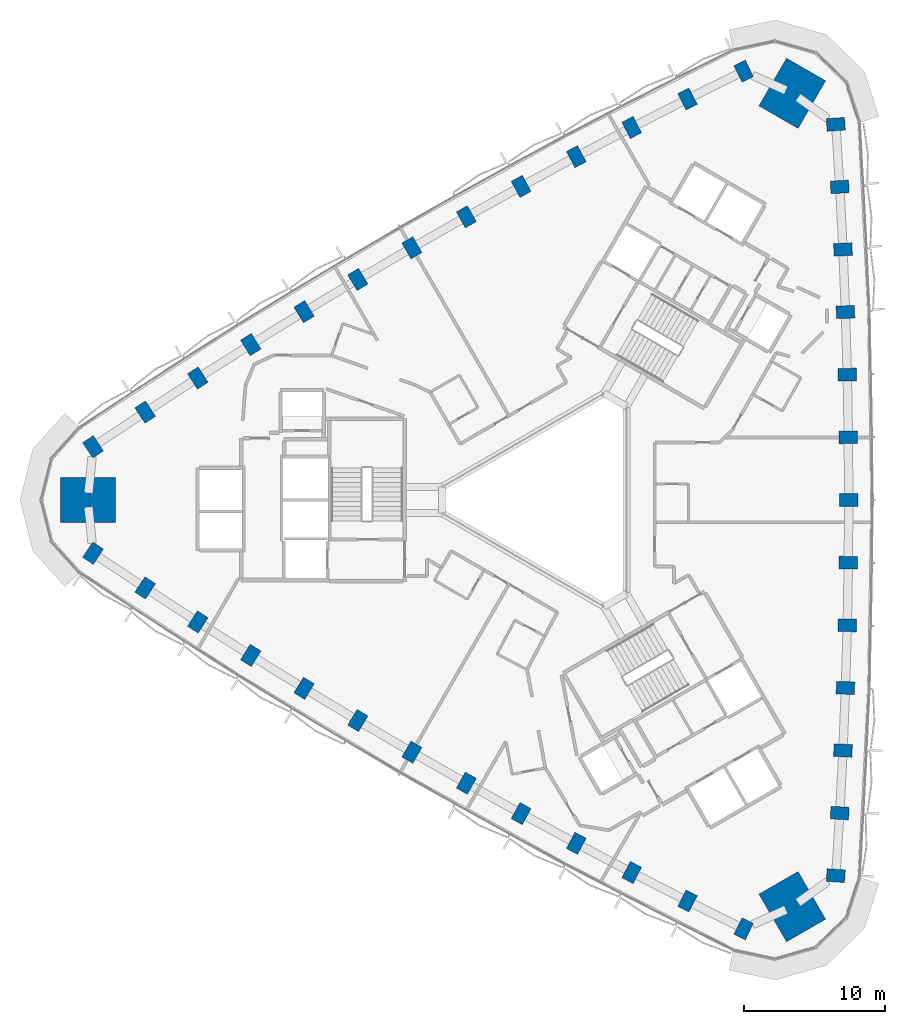
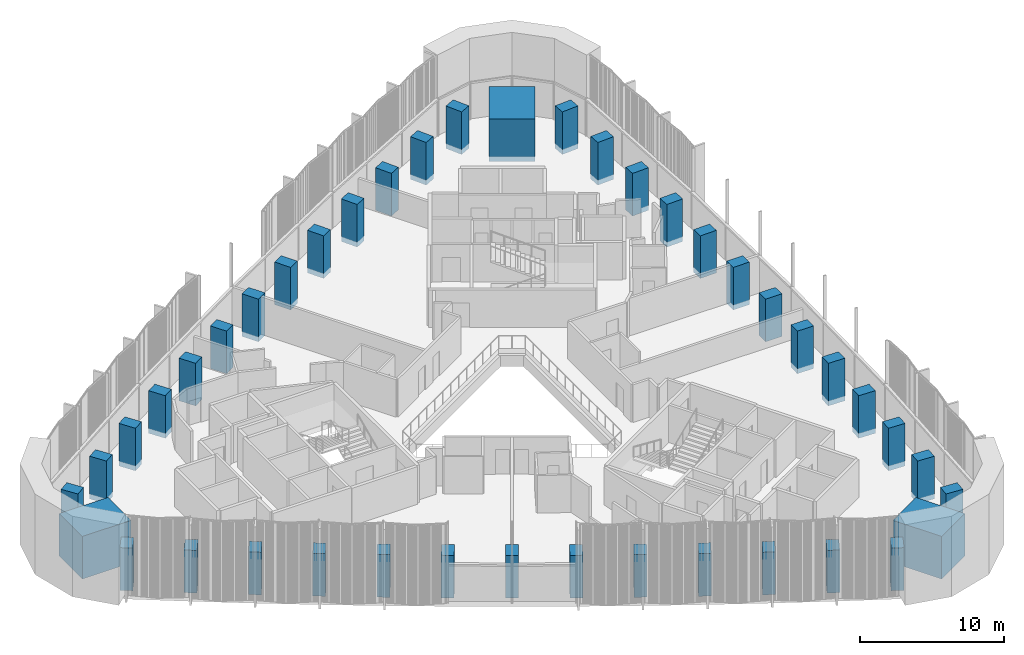
# One storey, part 1 of 15: 42 columns.
"""IFC4 building model written with IfcOpenShell, lengths in metres."""

from ifc_helpers import new_model, si_unit, direction, frame, origin, origin_2d, place, context, subcontext, project, spatial, rectangle, extrude, material, material_profile, profile_set, type_object, element, save


model = new_model("IFC4")

# Units and contexts
model_context = context("Model", 3, precision=1e-05, world=origin(), true_north=direction((0.0, 1.0)))
body_context = subcontext(model_context, "Body", "Model", "MODEL_VIEW")
ifc_project = project(units=[si_unit("LENGTHUNIT", "METRE"), si_unit("AREAUNIT", "SQUARE_METRE"), si_unit("VOLUMEUNIT", "CUBIC_METRE"), si_unit("PLANEANGLEUNIT", "RADIAN"), si_unit("MASSUNIT", "GRAM", prefix="KILO")], contexts=[model_context])

# Site, building, storey
site_placement = place(None, origin())
site = spatial("IfcSite", under=ifc_project, at=site_placement, CompositionType="ELEMENT")
building_placement = place(site_placement, origin())
building = spatial("IfcBuilding", under=site, at=building_placement, Name="Tamra Quay Hotel Tower", CompositionType="ELEMENT")
storey_placement = place(building_placement, frame((0.0, 0.0, 111.800048828125)))
storey = spatial("IfcBuildingStorey", under=building, at=storey_placement, Name="L27", CompositionType="ELEMENT", Elevation=111.800048828125)

# Columns
ifc_material = material(Name="Concrete M70", Category="concrete")
ifc_material_profile_1 = material_profile(ifc_material, rectangle(XDim=1.300048828125, YDim=0.89990234375, at=origin_2d()), Name="COLUMN RC 900x1300 Z2")
ifc_profile_set_1 = profile_set([ifc_material_profile_1], Name="Concrete M70")
column_type_1 = type_object("IfcColumnType", Name="COLUMN RC 900x1300 Z2", PredefinedType="COLUMN", material=ifc_profile_set_1)
for number, where, z_axis, x_axis, name in (
    (1, (19.746337890625, -26.648681640625, -0.425048828125), (0.0, 0.0, 1.0), (-0.997682497858, 0.068041409955, 0.0), "COL-C2E01-L27"),
    (2, (20.02490234375, -22.212158203125, -0.425048828125), (0.0, 0.0, 1.0), (-0.998368034899, 0.057107502941, 0.0), "COL-C2E02-L27"),
    (3, (20.2529296875, -17.773193359375, -0.425048828125), (0.0, 0.0, 1.0), (-0.99895467426, 0.04571169187, 0.0), "COL-C2E03-L27"),
    (4, (20.430419921875, -13.331787109375, -0.425048828125), (0.0, 0.0, 1.0), (-0.999411600314, 0.034299462929, 0.0), "COL-C2E04-L27"),
    (5, (20.557373046875, -8.888916015625, -0.425048828125), (0.0, 0.0, 1.0), (-0.999738355025, 0.022874035338, 0.0), "COL-C2E05-L27"),
    (6, (20.633544921875, -4.44482421875, -0.425048828125), (0.0, 0.0, 1.0), (-0.999934576635, 0.01143863846, 0.0), "COL-C2E06-L27"),
    (7, (20.658935546875, 0.0, -0.425048828125), (0.0, 0.0, 1.0), (1.0, 0.0, 0.0), "COL-C2E07-L27"),
    (8, (20.633544921875, 4.44482421875, -0.425048828125), (0.0, 0.0, 1.0), (0.999934576635, 0.01143863846, 0.0), "COL-C2E08-L27"),
    (9, (20.557373046875, 8.888916015625, -0.425048828125), (0.0, 0.0, 1.0), (0.999738355025, 0.022874035338, 0.0), "COL-C2E09-L27"),
    (10, (20.430419921875, 13.331787109375, -0.425048828125), (0.0, 0.0, 1.0), (0.999411600314, 0.034299462929, 0.0), "COL-C2E10-L27"),
    (11, (20.2529296875, 17.773193359375, -0.425048828125), (0.0, 0.0, 1.0), (0.99895467426, 0.04571169187, 0.0), "COL-C2E11-L27"),
    (12, (20.02490234375, 22.212158203125, -0.425048828125), (0.0, 0.0, 1.0), (0.998368034899, 0.057107502941, 0.0), "COL-C2E12-L27"),
    (13, (19.746337890625, 26.648681640625, -0.425048828125), (0.0, 0.0, 1.0), (0.997682497858, 0.068041409955, 0.0), "COL-C2E13-L27"),
    (14, (13.205078125, 30.425048828125, -0.425048828125), (0.0, 0.0, 1.0), (-0.439915659398, 0.898039093033, 0.0), "COL-C2NW01-L27"),
    (15, (9.223876953125, 28.4482421875, -0.425048828125), (0.0, 0.0, 1.0), (-0.449727469156, 0.893165832019, 0.0), "COL-C2NW02-L27"),
    (16, (5.265625, 26.42626953125, -0.425048828125), (0.0, 0.0, 1.0), (-0.459889850721, 0.887975971074, 0.0), "COL-C2NW03-L27"),
    (17, (1.33056640625, 24.359375, -0.425048828125), (0.0, 0.0, 1.0), (-0.470001593924, 0.882665566174, 0.0), "COL-C2NW04-L27"),
    (18, (-2.580810546875, 22.247802734375, -0.425048828125), (0.0, 0.0, 1.0), (-0.480059681822, 0.877235830258, 0.0), "COL-C2NW05-L27"),
    (19, (-6.467529296875, 20.091552734375, -0.425048828125), (0.0, 0.0, 1.0), (-0.490061136827, 0.871688064718, 0.0), "COL-C2NW06-L27"),
    (20, (-10.32958984375, 17.89111328125, -0.425048828125), (0.0, 0.0, 1.0), (-0.5, 0.866025403784, 0.0), "COL-C2NW07-L27"),
    (21, (-14.166015625, 15.646728515625, -0.425048828125), (0.0, 0.0, 1.0), (-0.509873439808, 0.860249426259, 0.0), "COL-C2NW08-L27"),
    (22, (-17.976806640625, 13.35888671875, -0.425048828125), (0.0, 0.0, 1.0), (-0.519678673202, 0.85436179492, 0.0), "COL-C2NW09-L27"),
    (23, (-21.760986328125, 11.02734375, -0.425048828125), (0.0, 0.0, 1.0), (-0.52941000639, 0.848366103245, 0.0), "COL-C2NW10-L27"),
    (24, (-25.5185546875, 8.653076171875, -0.425048828125), (0.0, 0.0, 1.0), (-0.539064823539, 0.842264279204, 0.0), "COL-C2NW11-L27"),
    (25, (-29.248779296875, 6.23583984375, -0.425048828125), (0.0, 0.0, 1.0), (-0.548640565743, 0.836058329078, 0.0), "COL-C2NW12-L27"),
    (26, (-32.951416015625, 3.776611328125, -0.425048828125), (0.0, 0.0, 1.0), (-0.557766838459, 0.829997683078, 0.0), "COL-C2NW13-L27"),
    (27, (-32.951416015625, -3.776611328125, -0.425048828125), (0.0, 0.0, 1.0), (0.557766838459, 0.829997683078, 0.0), "COL-C2SW01-L27"),
    (28, (-29.248779296875, -6.23583984375, -0.425048828125), (0.0, 0.0, 1.0), (0.548640565743, 0.836058329078, 0.0), "COL-C2SW02-L27"),
    (29, (-25.5185546875, -8.653076171875, -0.425048828125), (0.0, 0.0, 1.0), (0.539064823539, 0.842264279204, 0.0), "COL-C2SW03-L27"),
    (30, (-21.760986328125, -11.02734375, -0.425048828125), (0.0, 0.0, 1.0), (0.52941000639, 0.848366103245, 0.0), "COL-C2SW04-L27"),
    (31, (-17.976806640625, -13.35888671875, -0.425048828125), (0.0, 0.0, 1.0), (0.519678673202, 0.85436179492, 0.0), "COL-C2SW05-L27"),
    (32, (-14.166015625, -15.646728515625, -0.425048828125), (0.0, 0.0, 1.0), (0.509873439808, 0.860249426259, 0.0), "COL-C2SW06-L27"),
    (33, (-10.32958984375, -17.89111328125, -0.425048828125), (0.0, 0.0, 1.0), (0.5, 0.866025403784, 0.0), "COL-C2SW07-L27"),
    (34, (-6.467529296875, -20.091552734375, -0.425048828125), (0.0, 0.0, 1.0), (0.490061136827, 0.871688064718, 0.0), "COL-C2SW08-L27"),
    (35, (-2.580810546875, -22.247802734375, -0.425048828125), (0.0, 0.0, 1.0), (0.480059681822, 0.877235830258, 0.0), "COL-C2SW09-L27"),
    (36, (1.33056640625, -24.359375, -0.425048828125), (0.0, 0.0, 1.0), (0.470001593924, 0.882665566174, 0.0), "COL-C2SW10-L27"),
    (37, (5.265625, -26.42626953125, -0.425048828125), (0.0, 0.0, 1.0), (0.459889850721, 0.887975971074, 0.0), "COL-C2SW11-L27"),
    (38, (9.223876953125, -28.4482421875, -0.425048828125), (0.0, 0.0, 1.0), (0.449727469156, 0.893165832019, 0.0), "COL-C2SW12-L27"),
    (39, (13.205078125, -30.425048828125, -0.425048828125), (0.0, 0.0, 1.0), (0.439915659398, 0.898039093033, 0.0), "COL-C2SW13-L27"),
):
    element("IfcColumn", number, at=place(storey_placement, frame(where, z_axis=z_axis, x_axis=x_axis)), inside=storey, type_object=column_type_1, Name=name, PredefinedType="COLUMN", context=body_context, shape_type="SweptSolid", body=[
        extrude(rectangle(XDim=1.300048828125, YDim=0.89990234375, at=origin_2d()), origin(), (0.0, 0.0, 1.0), 3.60009765625),
    ])
ifc_material_profile_2 = material_profile(ifc_material, rectangle(XDim=3.89990234375, YDim=3.199951171875, at=origin_2d()), Name="MEGA COLUMN RC 3200x3900 Z2")
ifc_profile_set_2 = profile_set([ifc_material_profile_2], Name="Concrete M70")
column_type_2 = type_object("IfcColumnType", Name="MEGA COLUMN RC 3200x3900 Z2", PredefinedType="COLUMN", material=ifc_profile_set_2)
for number, where, z_axis, x_axis, name in (
    (40, (16.65673828125, 28.8505859375, -0.425048828125), (0.0, 0.0, 1.0), (0.5, 0.866025403784, 0.0), "COL-M2NE-L27"),
    (41, (-33.313720703125, 0.0, -0.425048828125), (0.0, 0.0, 1.0), (1.0, 0.0, 0.0), "COL-M2W-L27"),
    (42, (16.65673828125, -28.8505859375, -0.425048828125), (0.0, 0.0, 1.0), (-0.5, 0.866025403784, 0.0), "COL-M2SE-L27"),
):
    element("IfcColumn", number, at=place(storey_placement, frame(where, z_axis=z_axis, x_axis=x_axis)), inside=storey, type_object=column_type_2, Name=name, PredefinedType="COLUMN", context=body_context, shape_type="SweptSolid", body=[
        extrude(rectangle(XDim=3.89990234375, YDim=3.199951171875, at=origin_2d()), origin(), (0.0, 0.0, 1.0), 3.60009765625),
    ])

save(model, "model.ifc")
